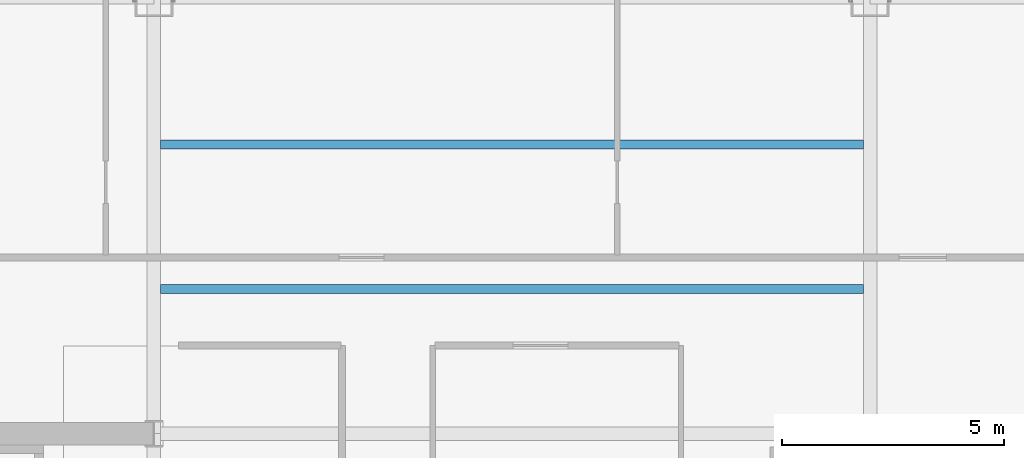
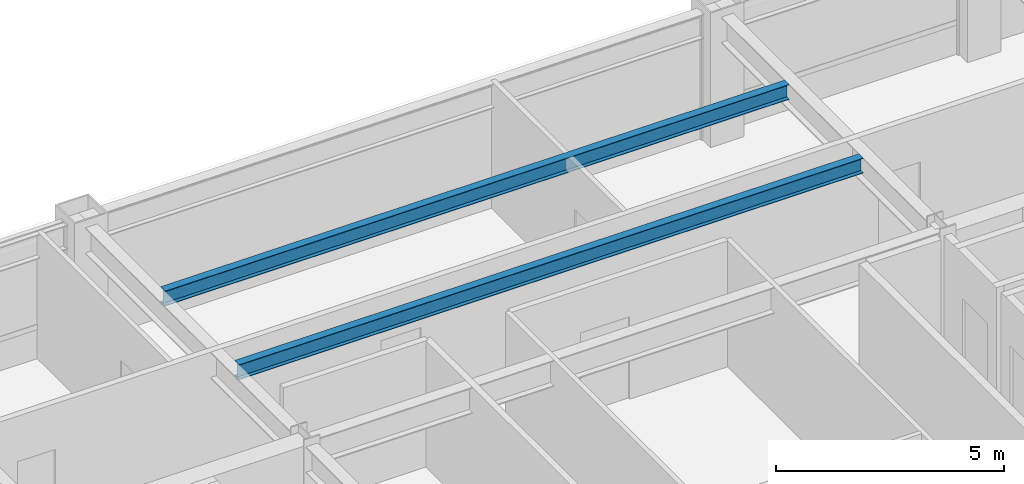
# One storey, part 20 of 31: 2 beams.
"""IFC4 building model written with IfcOpenShell, lengths in metres."""

from ifc_helpers import new_model, si_unit, direction, frame, origin, origin_2d, place, context, subcontext, project, spatial, i_section, extrude, material, material_profile, profile_set, type_object, element, save


model = new_model("IFC4")

# Units and contexts
model_context = context("Model", 3, precision=1e-05, world=origin(), true_north=direction((0.0, 1.0)))
body_context = subcontext(model_context, "Body", "Model", "MODEL_VIEW")
ifc_project = project(units=[si_unit("LENGTHUNIT", "METRE"), si_unit("AREAUNIT", "SQUARE_METRE"), si_unit("VOLUMEUNIT", "CUBIC_METRE"), si_unit("PLANEANGLEUNIT", "RADIAN"), si_unit("MASSUNIT", "GRAM", prefix="KILO")], contexts=[model_context])

# Site, building, storey
site_placement = place(None, origin())
site = spatial("IfcSite", under=ifc_project, at=site_placement, CompositionType="ELEMENT")
building_placement = place(site_placement, origin())
building = spatial("IfcBuilding", under=site, at=building_placement, Name="Brelmoor Portico Tower", CompositionType="ELEMENT")
storey_placement = place(building_placement, frame((0.0, 0.0, 113.39990234375)))
storey = spatial("IfcBuildingStorey", under=building, at=storey_placement, Name="L29", CompositionType="ELEMENT", Elevation=113.39990234375)

# Beams
ifc_material = material(Name="Steel Q355B", Category="steel")
ifc_material_profile = material_profile(ifc_material, i_section(OverallWidth=0.199951171875, OverallDepth=0.39990234375, WebThickness=0.008056640625, FlangeThickness=0.012939453125, at=origin_2d()), Name="HN 400x200x8x13")
ifc_profile_set = profile_set([ifc_material_profile], Name="Steel Q355B")
beam_type = type_object("IfcBeamType", Name="BM-JS-400", PredefinedType="JOIST", material=ifc_profile_set)
for number, where, z_axis, x_axis, name in (
    (1, (-7.89990234375, 13.0, 3.2001953125), (1.0, 0.0, 0.0), (0.0, 1.0, 0.0), "L29 Secondary Composite Joist JS-C03"),
    (2, (-7.89990234375, 16.25, 3.2001953125), (1.0, 0.0, 0.0), (0.0, 1.0, 0.0), "L29 Secondary Composite Joist JS-C04"),
):
    element("IfcBeam", number, at=place(storey_placement, frame(where, z_axis=z_axis, x_axis=x_axis)), inside=storey, type_object=beam_type, Name=name, PredefinedType="JOIST", context=body_context, shape_type="SweptSolid", body=[
        extrude(i_section(OverallWidth=0.199951171875, OverallDepth=0.39990234375, WebThickness=0.008056640625, FlangeThickness=0.012939453125, at=origin_2d()), origin(), (0.0, 0.0, 1.0), 15.7998046875),
    ])

save(model, "model.ifc")
